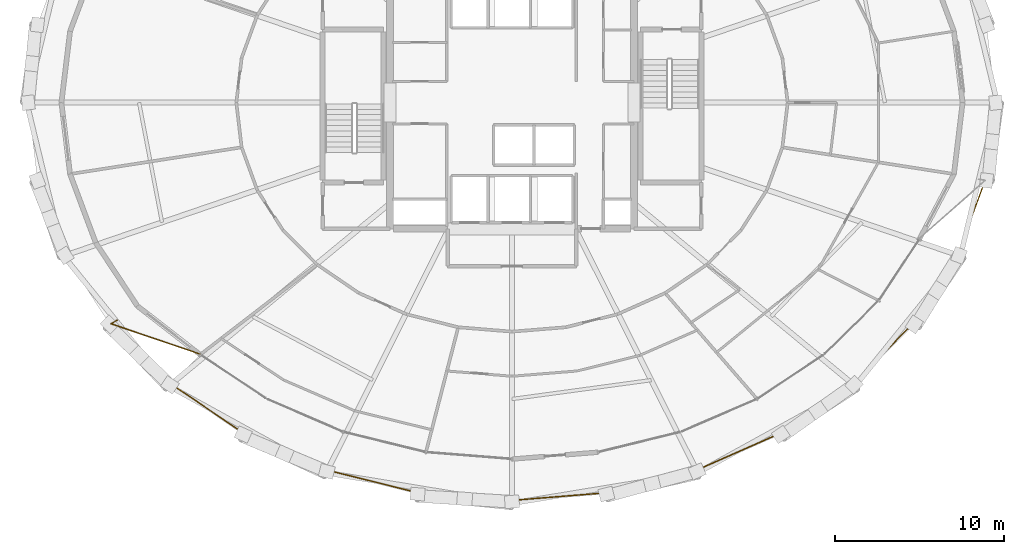
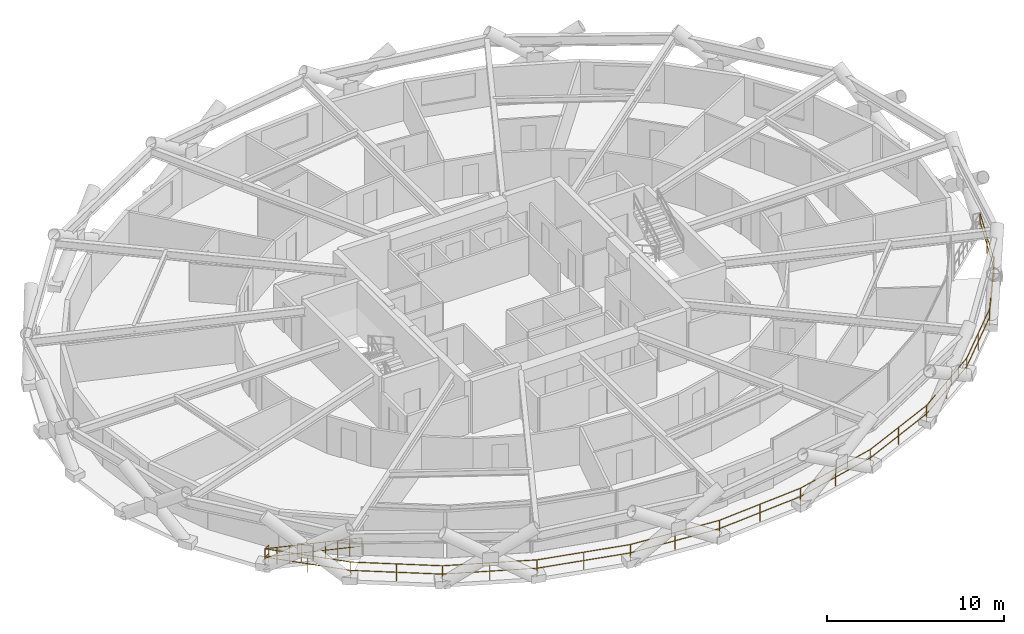
# One storey, part 16 of 17: 2 railings.
"""IFC4 building model written with IfcOpenShell, lengths in metres."""

from ifc_helpers import new_model, si_unit, direction, frame, origin, origin_2d, place, context, subcontext, project, spatial, circle, extrude, material, type_object, element, save


model = new_model("IFC4")

# Units and contexts
model_context = context("Model", 3, precision=1e-05, world=origin(), true_north=direction((0.0, 1.0)))
body_context = subcontext(model_context, "Body", "Model", "MODEL_VIEW")
ifc_project = project(units=[si_unit("LENGTHUNIT", "METRE"), si_unit("AREAUNIT", "SQUARE_METRE"), si_unit("VOLUMEUNIT", "CUBIC_METRE"), si_unit("PLANEANGLEUNIT", "RADIAN"), si_unit("MASSUNIT", "GRAM", prefix="KILO")], contexts=[model_context])

# Site, building, storey
site_placement = place(None, origin())
site = spatial("IfcSite", under=ifc_project, at=site_placement, CompositionType="ELEMENT")
building_placement = place(site_placement, origin())
building = spatial("IfcBuilding", under=site, at=building_placement, Name="Veldorina Hangang Commons", CompositionType="ELEMENT")
storey_placement = place(building_placement, frame((0.0, 0.0, 55.60009765625)))
storey = spatial("IfcBuildingStorey", under=building, at=storey_placement, Name="L13", CompositionType="ELEMENT", Elevation=55.60009765625)

# Railings
ifc_material = material(Name="Glass Laminated Safety Balustrade", Category="glass")
railing_type = type_object("IfcRailingType", Name="RL-BAL-LOGGIA", PredefinedType="BALUSTRADE", material=ifc_material)
railing_1_placement = place(storey_placement, frame((8.6904296875, 11.15185546875, 0.0)))
element("IfcRailing", 1, at=railing_1_placement, inside=storey, type_object=railing_type, Name="L13 sky-garden loggia end balustrade A", PredefinedType="BALUSTRADE", context=body_context, shape_type="SweptSolid", body=[
    extrude(circle(Radius=0.02392578125, at=origin_2d()), frame((0.0, 0.0, 1.17578125), z_axis=(-0.875552244301, -0.483123449544, 0.0), x_axis=(0.483123449544, -0.875552244301, 0.0)), (0.0, 0.0, 1.0), 0.419921875),
    extrude(circle(Radius=0.02392578125, at=origin_2d()), frame((0.0, 0.0, 0.60009765625), z_axis=(-0.875552244301, -0.483123449544, 0.0), x_axis=(0.483123449544, -0.875552244301, 0.0)), (0.0, 0.0, 1.0), 0.419921875),
    extrude(circle(Radius=0.02392578125, at=origin_2d()), frame((-0.36767578125, -0.202880859375, 1.17578125), z_axis=(0.946687300748, -0.322153929982, 0.0), x_axis=(0.322153929982, 0.946687300748, 0.0)), (0.0, 0.0, 1.0), 5.5927734375),
    extrude(circle(Radius=0.02392578125, at=origin_2d()), frame((-0.36767578125, -0.202880859375, 0.60009765625), z_axis=(0.946687300748, -0.322153929982, 0.0), x_axis=(0.322153929982, 0.946687300748, 0.0)), (0.0, 0.0, 1.0), 5.5927734375),
    extrude(circle(Radius=0.02099609375, at=origin_2d()), origin(), (0.0, 0.0, 1.0), 1.15185546875),
    extrude(circle(Radius=0.02099609375, at=origin_2d()), frame((-0.36767578125, -0.202880859375, 0.0)), (0.0, 0.0, 1.0), 1.15185546875),
    extrude(circle(Radius=0.02099609375, at=origin_2d()), frame((0.294189453125, -0.42822265625, 0.0)), (0.0, 0.0, 1.0), 1.15185546875),
    extrude(circle(Radius=0.02099609375, at=origin_2d()), frame((0.9560546875, -0.6533203125, 0.0)), (0.0, 0.0, 1.0), 1.15185546875),
    extrude(circle(Radius=0.02099609375, at=origin_2d()), frame((1.617919921875, -0.87841796875, 0.0)), (0.0, 0.0, 1.0), 1.15185546875),
    extrude(circle(Radius=0.02099609375, at=origin_2d()), frame((2.27978515625, -1.103759765625, 0.0)), (0.0, 0.0, 1.0), 1.15185546875),
    extrude(circle(Radius=0.02099609375, at=origin_2d()), frame((2.94140625, -1.3291015625, 0.0)), (0.0, 0.0, 1.0), 1.15185546875),
    extrude(circle(Radius=0.02099609375, at=origin_2d()), frame((3.603271484375, -1.55419921875, 0.0)), (0.0, 0.0, 1.0), 1.15185546875),
    extrude(circle(Radius=0.02099609375, at=origin_2d()), frame((4.26513671875, -1.779296875, 0.0)), (0.0, 0.0, 1.0), 1.15185546875),
    extrude(circle(Radius=0.02099609375, at=origin_2d()), frame((4.927001953125, -2.004638671875, 0.0)), (0.0, 0.0, 1.0), 1.15185546875),
])
railing_2_placement = place(storey_placement, frame((8.32275390625, 10.948974609375, 0.0)))
element("IfcRailing", 2, at=railing_2_placement, inside=storey, type_object=railing_type, Name="L13 sky-garden loggia outer balustrade", PredefinedType="BALUSTRADE", context=body_context, shape_type="SweptSolid", body=[
    extrude(circle(Radius=0.02392578125, at=origin_2d()), frame((0.0, 0.0, 1.17578125), z_axis=(0.705671035809, -0.708539617255, 0.0), x_axis=(0.708539617255, 0.705671035809, 0.0)), (0.0, 0.0, 1.0), 5.021484375),
    extrude(circle(Radius=0.02392578125, at=origin_2d()), frame((0.0, 0.0, 0.60009765625), z_axis=(0.705671035809, -0.708539617255, 0.0), x_axis=(0.708539617255, 0.705671035809, 0.0)), (0.0, 0.0, 1.0), 5.021484375),
    extrude(circle(Radius=0.02392578125, at=origin_2d()), frame((3.54345703125, -3.557861328125, 1.17578125), z_axis=(0.828385082992, -0.560159043733, 0.0), x_axis=(0.560159043733, 0.828385082992, 0.0)), (0.0, 0.0, 1.0), 5.2109375),
    extrude(circle(Radius=0.02392578125, at=origin_2d()), frame((3.54345703125, -3.557861328125, 0.60009765625), z_axis=(0.828385082992, -0.560159043733, 0.0), x_axis=(0.560159043733, 0.828385082992, 0.0)), (0.0, 0.0, 1.0), 5.2109375),
    extrude(circle(Radius=0.02392578125, at=origin_2d()), frame((7.860107421875, -6.476806640625, 1.17578125), z_axis=(0.915198555113, -0.403003231648, 0.0), x_axis=(0.403003231648, 0.915198555113, 0.0)), (0.0, 0.0, 1.0), 5.379638671875),
    extrude(circle(Radius=0.02392578125, at=origin_2d()), frame((7.860107421875, -6.476806640625, 0.60009765625), z_axis=(0.915198555113, -0.403003231648, 0.0), x_axis=(0.403003231648, 0.915198555113, 0.0)), (0.0, 0.0, 1.0), 5.379638671875),
    extrude(circle(Radius=0.02392578125, at=origin_2d()), frame((12.783447265625, -8.644775390625, 1.17578125), z_axis=(0.970173797082, -0.242410402946, 0.0), x_axis=(0.242410402946, 0.970173797082, 0.0)), (0.0, 0.0, 1.0), 5.505126953125),
    extrude(circle(Radius=0.02392578125, at=origin_2d()), frame((12.783447265625, -8.644775390625, 0.60009765625), z_axis=(0.970173797082, -0.242410402946, 0.0), x_axis=(0.242410402946, 0.970173797082, 0.0)), (0.0, 0.0, 1.0), 5.505126953125),
    extrude(circle(Radius=0.02392578125, at=origin_2d()), frame((18.124267578125, -9.979248046875, 1.17578125), z_axis=(0.9967261854, -0.08085116782, 0.0), x_axis=(0.08085116782, 0.9967261854, 0.0)), (0.0, 0.0, 1.0), 5.5712890625),
    extrude(circle(Radius=0.02392578125, at=origin_2d()), frame((18.124267578125, -9.979248046875, 0.60009765625), z_axis=(0.9967261854, -0.08085116782, 0.0), x_axis=(0.08085116782, 0.9967261854, 0.0)), (0.0, 0.0, 1.0), 5.5712890625),
    extrude(circle(Radius=0.02392578125, at=origin_2d()), frame((23.67724609375, -10.4296875, 1.17578125), z_axis=(0.9967261854, 0.08085116782, 0.0), x_axis=(-0.08085116782, 0.9967261854, 0.0)), (0.0, 0.0, 1.0), 5.5712890625),
    extrude(circle(Radius=0.02392578125, at=origin_2d()), frame((23.67724609375, -10.4296875, 0.60009765625), z_axis=(0.9967261854, 0.08085116782, 0.0), x_axis=(-0.08085116782, 0.9967261854, 0.0)), (0.0, 0.0, 1.0), 5.5712890625),
    extrude(circle(Radius=0.02392578125, at=origin_2d()), frame((29.230224609375, -9.979248046875, 1.17578125), z_axis=(0.970173797082, 0.242410402946, 0.0), x_axis=(-0.242410402946, 0.970173797082, 0.0)), (0.0, 0.0, 1.0), 5.505126953125),
    extrude(circle(Radius=0.02392578125, at=origin_2d()), frame((29.230224609375, -9.979248046875, 0.60009765625), z_axis=(0.970173797082, 0.242410402946, 0.0), x_axis=(-0.242410402946, 0.970173797082, 0.0)), (0.0, 0.0, 1.0), 5.505126953125),
    extrude(circle(Radius=0.02392578125, at=origin_2d()), frame((34.571044921875, -8.644775390625, 1.17578125), z_axis=(0.915198555113, 0.403003231648, 0.0), x_axis=(-0.403003231648, 0.915198555113, 0.0)), (0.0, 0.0, 1.0), 5.379638671875),
    extrude(circle(Radius=0.02392578125, at=origin_2d()), frame((34.571044921875, -8.644775390625, 0.60009765625), z_axis=(0.915198555113, 0.403003231648, 0.0), x_axis=(-0.403003231648, 0.915198555113, 0.0)), (0.0, 0.0, 1.0), 5.379638671875),
    extrude(circle(Radius=0.02392578125, at=origin_2d()), frame((39.494384765625, -6.476806640625, 1.17578125), z_axis=(0.828385082992, 0.560159043733, 0.0), x_axis=(-0.560159043733, 0.828385082992, 0.0)), (0.0, 0.0, 1.0), 5.2109375),
    extrude(circle(Radius=0.02392578125, at=origin_2d()), frame((39.494384765625, -6.476806640625, 0.60009765625), z_axis=(0.828385082992, 0.560159043733, 0.0), x_axis=(-0.560159043733, 0.828385082992, 0.0)), (0.0, 0.0, 1.0), 5.2109375),
    extrude(circle(Radius=0.02392578125, at=origin_2d()), frame((43.81103515625, -3.557861328125, 1.17578125), z_axis=(0.705671035809, 0.708539617255, 0.0), x_axis=(-0.708539617255, 0.705671035809, 0.0)), (0.0, 0.0, 1.0), 5.021484375),
    extrude(circle(Radius=0.02392578125, at=origin_2d()), frame((43.81103515625, -3.557861328125, 0.60009765625), z_axis=(0.705671035809, 0.708539617255, 0.0), x_axis=(-0.708539617255, 0.705671035809, 0.0)), (0.0, 0.0, 1.0), 5.021484375),
    extrude(circle(Radius=0.02392578125, at=origin_2d()), frame((47.3544921875, 0.0, 1.17578125), z_axis=(0.544144083291, 0.838991785788, 0.0), x_axis=(-0.838991785788, 0.544144083291, 0.0)), (0.0, 0.0, 1.0), 4.83984375),
    extrude(circle(Radius=0.02392578125, at=origin_2d()), frame((47.3544921875, 0.0, 0.60009765625), z_axis=(0.544144083291, 0.838991785788, 0.0), x_axis=(-0.838991785788, 0.544144083291, 0.0)), (0.0, 0.0, 1.0), 4.83984375),
    extrude(circle(Radius=0.02392578125, at=origin_2d()), frame((49.988037109375, 4.060546875, 1.17578125), z_axis=(0.345459609036, 0.938433619669, 0.0), x_axis=(-0.938433619669, 0.345459609036, 0.0)), (0.0, 0.0, 1.0), 4.696044921875),
    extrude(circle(Radius=0.02392578125, at=origin_2d()), frame((49.988037109375, 4.060546875, 0.60009765625), z_axis=(0.345459609036, 0.938433619669, 0.0), x_axis=(-0.938433619669, 0.345459609036, 0.0)), (0.0, 0.0, 1.0), 4.696044921875),
    extrude(circle(Radius=0.02099609375, at=origin_2d()), origin(), (0.0, 0.0, 1.0), 1.15185546875),
    extrude(circle(Radius=0.02099609375, at=origin_2d()), frame((1.771728515625, -1.77880859375, 0.0)), (0.0, 0.0, 1.0), 1.15185546875),
    extrude(circle(Radius=0.02099609375, at=origin_2d()), frame((3.54345703125, -3.557861328125, 0.0)), (0.0, 0.0, 1.0), 1.15185546875),
    extrude(circle(Radius=0.02099609375, at=origin_2d()), frame((5.70166015625, -5.017333984375, 0.0)), (0.0, 0.0, 1.0), 1.15185546875),
    extrude(circle(Radius=0.02099609375, at=origin_2d()), frame((7.860107421875, -6.476806640625, 0.0)), (0.0, 0.0, 1.0), 1.15185546875),
    extrude(circle(Radius=0.02099609375, at=origin_2d()), frame((10.32177734375, -7.560791015625, 0.0)), (0.0, 0.0, 1.0), 1.15185546875),
    extrude(circle(Radius=0.02099609375, at=origin_2d()), frame((12.783447265625, -8.644775390625, 0.0)), (0.0, 0.0, 1.0), 1.15185546875),
    extrude(circle(Radius=0.02099609375, at=origin_2d()), frame((15.453857421875, -9.31201171875, 0.0)), (0.0, 0.0, 1.0), 1.15185546875),
    extrude(circle(Radius=0.02099609375, at=origin_2d()), frame((18.124267578125, -9.979248046875, 0.0)), (0.0, 0.0, 1.0), 1.15185546875),
    extrude(circle(Radius=0.02099609375, at=origin_2d()), frame((20.90087890625, -10.20458984375, 0.0)), (0.0, 0.0, 1.0), 1.15185546875),
    extrude(circle(Radius=0.02099609375, at=origin_2d()), frame((23.67724609375, -10.4296875, 0.0)), (0.0, 0.0, 1.0), 1.15185546875),
    extrude(circle(Radius=0.02099609375, at=origin_2d()), frame((26.45361328125, -10.20458984375, 0.0)), (0.0, 0.0, 1.0), 1.15185546875),
    extrude(circle(Radius=0.02099609375, at=origin_2d()), frame((29.230224609375, -9.979248046875, 0.0)), (0.0, 0.0, 1.0), 1.15185546875),
    extrude(circle(Radius=0.02099609375, at=origin_2d()), frame((31.900634765625, -9.31201171875, 0.0)), (0.0, 0.0, 1.0), 1.15185546875),
    extrude(circle(Radius=0.02099609375, at=origin_2d()), frame((34.571044921875, -8.644775390625, 0.0)), (0.0, 0.0, 1.0), 1.15185546875),
    extrude(circle(Radius=0.02099609375, at=origin_2d()), frame((37.03271484375, -7.560791015625, 0.0)), (0.0, 0.0, 1.0), 1.15185546875),
    extrude(circle(Radius=0.02099609375, at=origin_2d()), frame((39.494384765625, -6.476806640625, 0.0)), (0.0, 0.0, 1.0), 1.15185546875),
    extrude(circle(Radius=0.02099609375, at=origin_2d()), frame((41.65283203125, -5.017333984375, 0.0)), (0.0, 0.0, 1.0), 1.15185546875),
    extrude(circle(Radius=0.02099609375, at=origin_2d()), frame((43.81103515625, -3.557861328125, 0.0)), (0.0, 0.0, 1.0), 1.15185546875),
    extrude(circle(Radius=0.02099609375, at=origin_2d()), frame((45.582763671875, -1.77880859375, 0.0)), (0.0, 0.0, 1.0), 1.15185546875),
    extrude(circle(Radius=0.02099609375, at=origin_2d()), frame((47.3544921875, 0.0, 0.0)), (0.0, 0.0, 1.0), 1.15185546875),
    extrude(circle(Radius=0.02099609375, at=origin_2d()), frame((48.67138671875, 2.0302734375, 0.0)), (0.0, 0.0, 1.0), 1.15185546875),
    extrude(circle(Radius=0.02099609375, at=origin_2d()), frame((49.988037109375, 4.060546875, 0.0)), (0.0, 0.0, 1.0), 1.15185546875),
    extrude(circle(Radius=0.02099609375, at=origin_2d()), frame((50.79931640625, 6.26416015625, 0.0)), (0.0, 0.0, 1.0), 1.15185546875),
    extrude(circle(Radius=0.02099609375, at=origin_2d()), frame((51.6103515625, 8.467529296875, 0.0)), (0.0, 0.0, 1.0), 1.15185546875),
])

save(model, "model.ifc")
